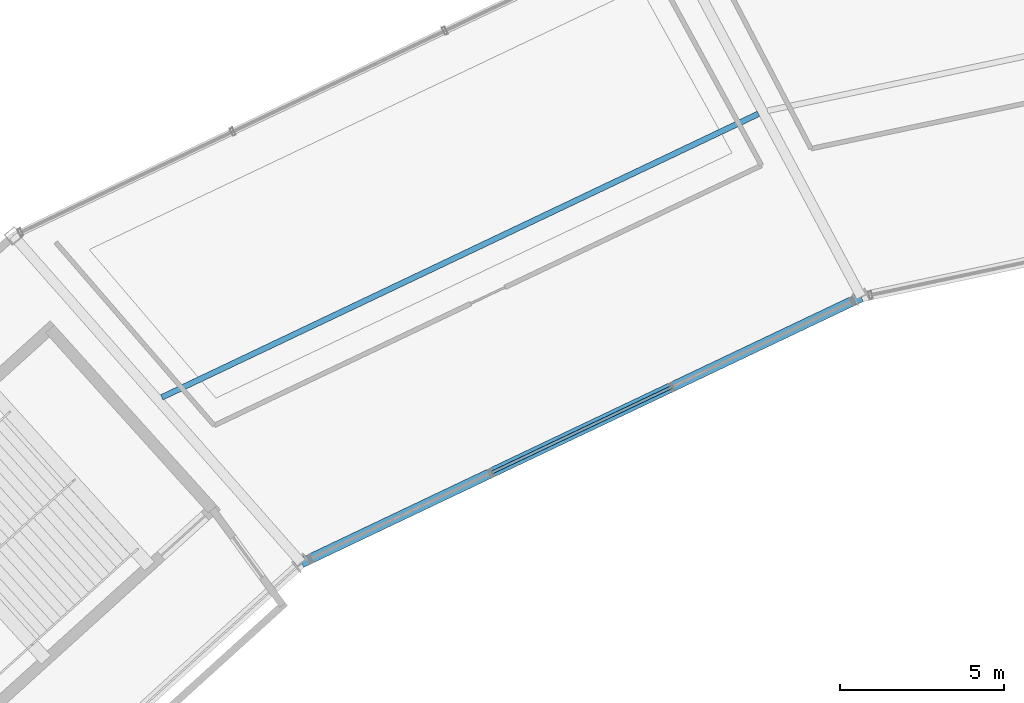
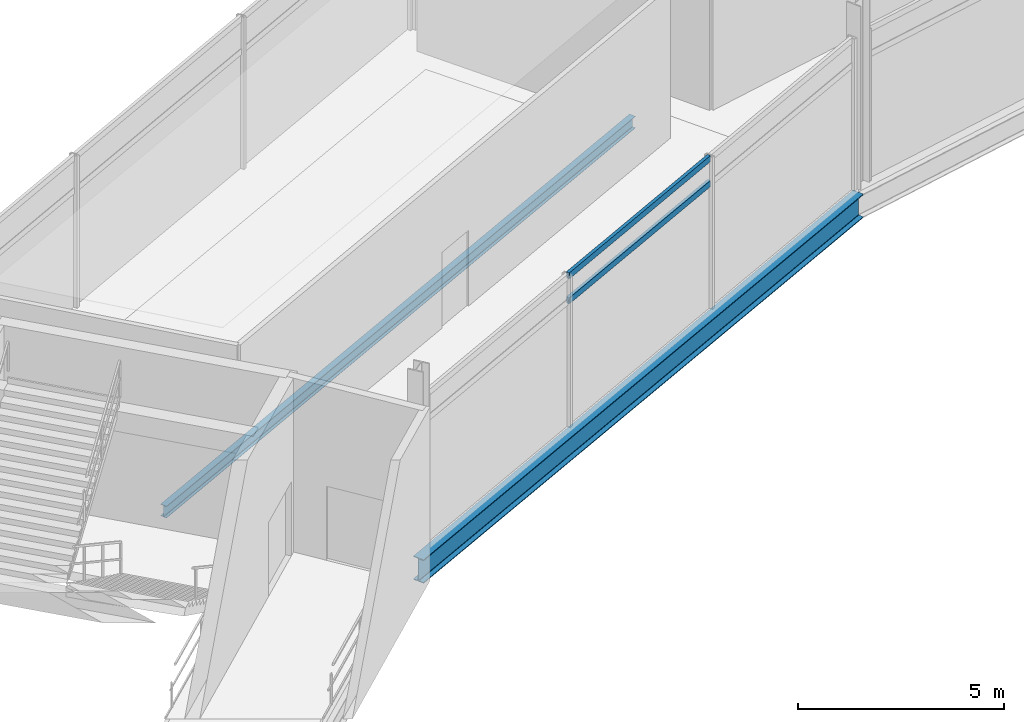
# One storey, part 52 of 86: 2 beams, 2 members, 1 element without a shape of its own.
"""IFC4 building model written with IfcOpenShell, lengths in metres."""

from ifc_helpers import new_model, si_unit, direction, frame, origin, origin_2d, place, context, subcontext, project, spatial, hollow_rectangle, i_section, extrude, material, layer, layer_set, material_profile, profile_set, type_object, element, aggregate, save


model = new_model("IFC4")

# Units and contexts
model_context = context("Model", 3, precision=1e-05, world=origin(), true_north=direction((0.0, 1.0)))
body_context = subcontext(model_context, "Body", "Model", "MODEL_VIEW")
ifc_project = project(units=[si_unit("LENGTHUNIT", "METRE"), si_unit("AREAUNIT", "SQUARE_METRE"), si_unit("VOLUMEUNIT", "CUBIC_METRE"), si_unit("PLANEANGLEUNIT", "RADIAN"), si_unit("MASSUNIT", "GRAM", prefix="KILO")], contexts=[model_context])

# Site, building, storey
site_placement = place(None, origin())
site = spatial("IfcSite", under=ifc_project, at=site_placement, CompositionType="ELEMENT")
building_placement = place(site_placement, origin())
building = spatial("IfcBuilding", under=site, at=building_placement, Name="Kazemori Nagisa Stadium", CompositionType="ELEMENT")
storey_placement = place(building_placement, frame((0.0, 0.0, 31.280029296875)))
storey = spatial("IfcBuildingStorey", under=building, at=storey_placement, Name="L06", CompositionType="ELEMENT", Elevation=31.280029296875)

# Beams
ifc_material_1 = material(Name="Steel SN490B", Category="steel")
ifc_material_profile_1 = material_profile(ifc_material_1, i_section(OverallWidth=0.300048828125, OverallDepth=0.699951171875, WebThickness=0.012939453125, FlangeThickness=0.02392578125, FilletRadius=0.01806640625, at=origin_2d()), Name="H-700x300x13x24")
ifc_profile_set_1 = profile_set([ifc_material_profile_1], Name="Steel SN490B")
beam_type_1 = type_object("IfcBeamType", Name="Beam_BG-H700", PredefinedType="BEAM", material=ifc_profile_set_1)
beam_1_placement = place(storey_placement, frame((86.18798828125, 171.19921875, -0.610107421875), z_axis=(-0.90321938295, -0.42917915404, 0.0), x_axis=(0.42917915404, -0.90321938295, 0.0)))
element("IfcBeam", 1, at=beam_1_placement, inside=storey, type_object=beam_type_1, Name="Ring girder BG-H700 L06 R2-10", PredefinedType="BEAM", context=body_context, shape_type="SweptSolid", body=[
    extrude(i_section(OverallWidth=0.300048828125, OverallDepth=0.699951171875, WebThickness=0.012939453125, FlangeThickness=0.02392578125, FilletRadius=0.01806640625, at=origin_2d()), origin(), (0.0, 0.0, 1.0), 18.84619140625),
])
ifc_material_profile_2 = material_profile(ifc_material_1, i_section(OverallWidth=0.175048828125, OverallDepth=0.35009765625, WebThickness=0.007080078125, FlangeThickness=0.010986328125, FilletRadius=0.012939453125, at=origin_2d()), Name="H-350x175x7x11")
ifc_profile_set_2 = profile_set([ifc_material_profile_2], Name="Steel SN490B")
beam_type_2 = type_object("IfcBeamType", Name="Beam_BJ-H350", PredefinedType="JOIST", material=ifc_profile_set_2)
beam_2_placement = place(storey_placement, frame((83.060546875, 176.76953125, -0.43505859375), z_axis=(-0.90321332486, -0.429191903228, 0.0), x_axis=(0.429191903228, -0.90321332486, 0.0)))
element("IfcBeam", 2, at=beam_2_placement, inside=storey, type_object=beam_type_2, Name="Outer bay joist BJ-H350 L06 B10", PredefinedType="JOIST", context=body_context, shape_type="SweptSolid", body=[
    extrude(i_section(OverallWidth=0.175048828125, OverallDepth=0.35009765625, WebThickness=0.007080078125, FlangeThickness=0.010986328125, FilletRadius=0.012939453125, at=origin_2d()), origin(), (0.0, 0.0, 1.0), 20.09033203125),
])

# Curtain wall, members
ifc_material_2 = material(Name="Anodised aluminium 6063-T5", Category="aluminium")
ifc_layer = layer(ifc_material_2, 0.239990234375, Name="Anodised aluminium 6063-T5", Category="aluminium")
ifc_layer_set = layer_set([ifc_layer], Name="Anodised aluminium 6063-T5")
curtain_wall_type = type_object("IfcCurtainWallType", Name="CW_L06G_92", PredefinedType="USERDEFINED", material=ifc_layer_set)
curtain_wall_placement = place(storey_placement, origin())
curtain_wall = element("IfcCurtainWall", 3, at=curtain_wall_placement, inside=storey, type_object=curtain_wall_type, Name="Unitised curtain wall CW-L06G-92 L06", ObjectType="UNITISED CURTAIN WALL", PredefinedType="USERDEFINED")
ifc_material_3 = material(Name="Aluminium 6063-T5 anodised", Category="aluminium")
ifc_material_profile_3 = material_profile(ifc_material_3, hollow_rectangle(XDim=0.090087890625, YDim=0.179931640625, WallThickness=0.0048828125, at=origin_2d()), Name="ALU-TRAN-90x180x5")
ifc_profile_set_3 = profile_set([ifc_material_profile_3], Name="Aluminium 6063-T5 anodised")
member_type = type_object("IfcMemberType", Name="Transom_T03", PredefinedType="USERDEFINED", material=ifc_profile_set_3)
member_1_placement = place(storey_placement, frame((80.409912109375, 168.45361328125, 3.6982421875), z_axis=(-0.903218867774, -0.429180238242, 0.0), x_axis=(0.429180238242, -0.903218867774, 0.0)))
member_1 = element("IfcMember", 4, at=member_1_placement, type_object=member_type, Name="Curtain wall transom CW-L06G-92-T2-mid", ObjectType="TRANSOM", PredefinedType="USERDEFINED", context=body_context, shape_type="SweptSolid", body=[
    extrude(hollow_rectangle(XDim=0.090087890625, YDim=0.179931640625, WallThickness=0.0048828125, at=origin_2d()), origin(), (0.0, 0.0, 1.0), 6.052001953125),
])
member_2_placement = place(storey_placement, frame((80.409912109375, 168.45361328125, 4.43994140625), z_axis=(-0.903218867774, -0.429180238242, 0.0), x_axis=(0.429180238242, -0.903218867774, 0.0)))
member_2 = element("IfcMember", 5, at=member_2_placement, type_object=member_type, Name="Curtain wall transom CW-L06G-92-T2-head", ObjectType="TRANSOM", PredefinedType="USERDEFINED", context=body_context, shape_type="SweptSolid", body=[
    extrude(hollow_rectangle(XDim=0.090087890625, YDim=0.179931640625, WallThickness=0.0048828125, at=origin_2d()), origin(), (0.0, 0.0, 1.0), 6.052001953125),
])
aggregate(curtain_wall, [member_1, member_2])

save(model, "model.ifc")
